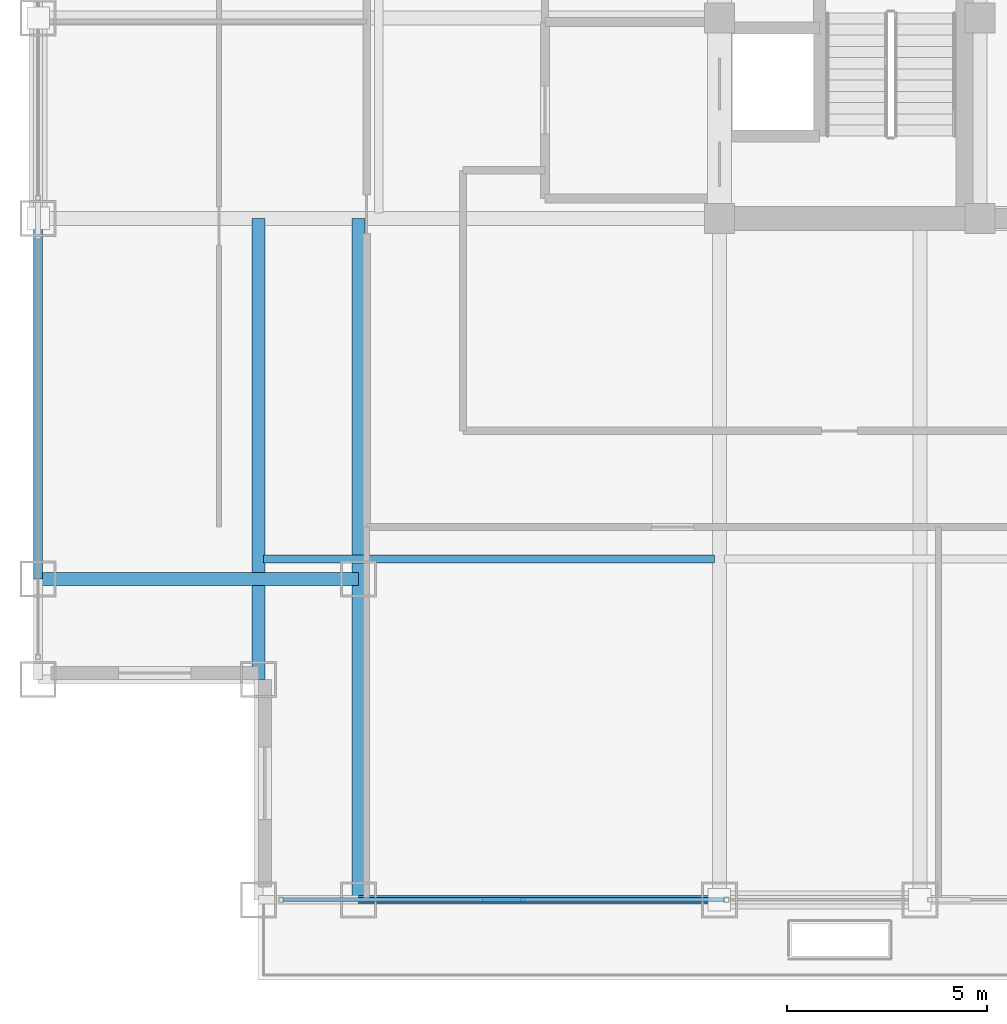
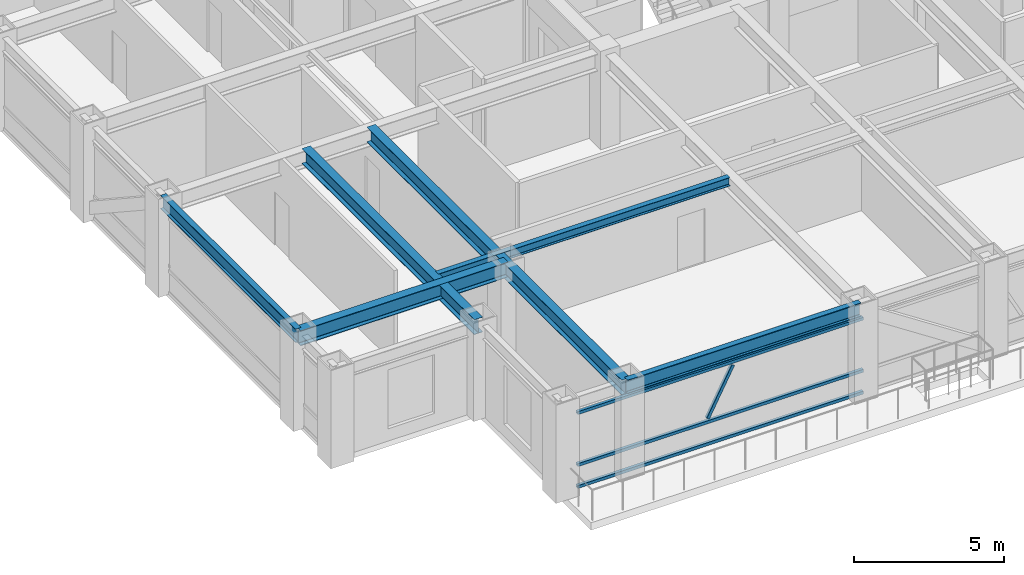
# One storey, part 3 of 32: 6 beams, 4 members, 1 element without a shape of its own.
"""IFC4 building model written with IfcOpenShell, lengths in metres."""

import ifcopenshell
import ifcopenshell.guid

model = None  # the IFC model being written
_history = None  # IfcOwnerHistory: only IFC2X3 demands one
_inside = {}  # id of a spatial element -> (the spatial element, [elements in it])
_under = {}  # id of a project, library or spatial element -> (it, [spatial elements below it])
_declared = {}  # id of a project -> (the project, [libraries it declares])
_typed = {}  # id of a type object -> (the type object, [elements of that type])
_made_of = {}  # id of a material, layer set ... -> (it, [elements and type objects made of it])


def new_model(schema):
    """Start an empty IFC model of exactly this schema.

    Asked for "IFC4X3", IfcOpenShell would pick the latest addendum, in which some entities
    have other attributes; the version numbers below select the first issue.
    IFC2X3 requires an IfcOwnerHistory on every rooted entity: one is made here for all.
    """
    global model, _history
    if schema == "IFC4X3":
        model = ifcopenshell.file(schema_version=(4, 3, 0, 0))
    else:
        model = ifcopenshell.file(schema=schema)
    _inside.clear()
    _under.clear()
    _declared.clear()
    _typed.clear()
    _made_of.clear()
    _history = None
    if model.schema == "IFC2X3":
        org = make("IfcOrganization", Name="unknown")
        user = make(
            "IfcPersonAndOrganization",
            ThePerson=make("IfcPerson", FamilyName="unknown"),
            TheOrganization=org,
        )
        app = make(
            "IfcApplication",
            ApplicationDeveloper=org,
            Version="unknown",
            ApplicationFullName="unknown",
            ApplicationIdentifier="unknown",
        )
        _history = make(
            "IfcOwnerHistory",
            OwningUser=user,
            OwningApplication=app,
            ChangeAction="ADDED",
            CreationDate=0,
        )
    return model


def make(cls, **values):
    """One entity of the class cls with the attributes given. An attribute that is None is left unset."""
    return model.create_entity(
        cls, **{name: value for name, value in values.items() if value is not None}
    )


def rooted(cls, **values):
    """An entity with a GlobalId (a new one), such as an element, a storey or a relation."""
    return make(cls, GlobalId=ifcopenshell.guid.new(), OwnerHistory=_history, **values)


def si_unit(unit_type, name, prefix=None):
    """IfcSIUnit, for example si_unit("LENGTHUNIT", "METRE", prefix="MILLI")."""
    return make("IfcSIUnit", UnitType=unit_type, Prefix=prefix, Name=name)


def assignment(units):
    """IfcUnitAssignment: the units of a project."""
    return None if units is None else make("IfcUnitAssignment", Units=units)


def point(xyz):
    """IfcCartesianPoint."""
    return None if xyz is None else make("IfcCartesianPoint", Coordinates=xyz)


def direction(xyz):
    """IfcDirection."""
    return None if xyz is None else make("IfcDirection", DirectionRatios=xyz)


def frame(location, z_axis=None, x_axis=None):
    """IfcAxis2Placement3D, a coordinate frame: its origin and axes. An axis left out is left unset."""
    return make(
        "IfcAxis2Placement3D",
        Location=point(location),
        Axis=direction(z_axis),
        RefDirection=direction(x_axis),
    )


def frame_2d(location, x_axis=None):
    """IfcAxis2Placement2D, a coordinate frame in the plane: its origin and x axis."""
    return make(
        "IfcAxis2Placement2D", Location=point(location), RefDirection=direction(x_axis)
    )


def origin():
    """The frame at (0, 0, 0) with its axes left unset."""
    return frame((0.0, 0.0, 0.0))


def origin_2d():
    """The frame at (0, 0) in the plane with its x axis left unset."""
    return frame_2d((0.0, 0.0))


def place(relative_to, where):
    """IfcLocalPlacement: puts the frame where relative to a parent placement (None: the world)."""
    return make(
        "IfcLocalPlacement", PlacementRelTo=relative_to, RelativePlacement=where
    )


def context(
    kind, dimensions, precision=None, world=None, true_north=None, identifier=None
):
    """IfcGeometricRepresentationContext, for example the 3D "Model" context."""
    return make(
        "IfcGeometricRepresentationContext",
        ContextIdentifier=identifier,
        ContextType=kind,
        CoordinateSpaceDimension=dimensions,
        Precision=precision,
        WorldCoordinateSystem=world,
        TrueNorth=true_north,
    )


def subcontext(parent, identifier, kind, view, scale=None):
    """IfcGeometricRepresentationSubContext, for example "Body" below "Model"."""
    return make(
        "IfcGeometricRepresentationSubContext",
        ContextIdentifier=identifier,
        ContextType=kind,
        ParentContext=parent,
        TargetScale=scale,
        TargetView=view,
    )


def project(units=None, contexts=None):
    """IfcProject with its units and contexts."""
    return rooted(
        "IfcProject",
        Name="project",
        RepresentationContexts=contexts,
        UnitsInContext=assignment(units),
    )


def spatial(cls, under=None, at=None, **own):
    """A site, building, storey or space (cls), placed at a placement, below another one or the project."""
    s = rooted(cls, ObjectPlacement=at, **own)
    if under is not None:
        _under.setdefault(under.id(), (under, []))[1].append(s)
    return s


def profile(cls, at=None, kind="AREA", **sizes):
    """A parametric profile (cls). Its sizes go by their IFC names, for example OverallWidth=200.0."""
    return make(cls, ProfileType=kind, Position=at, **sizes)


def hollow_rectangle(**sizes):
    """IfcRectangleHollowProfileDef."""
    return profile("IfcRectangleHollowProfileDef", **sizes)


def i_section(**sizes):
    """IfcIShapeProfileDef."""
    return profile("IfcIShapeProfileDef", **sizes)


def extrude(swept, where, along, depth):
    """IfcExtrudedAreaSolid: the profile swept, set in the frame where, extruded along a direction by depth."""
    return make(
        "IfcExtrudedAreaSolid",
        SweptArea=swept,
        Position=where,
        ExtrudedDirection=direction(along),
        Depth=depth,
    )


def shape(context_of_items, identifier, shape_type, items):
    """IfcShapeRepresentation: the items that make up one representation, for example the "Body"."""
    return make(
        "IfcShapeRepresentation",
        ContextOfItems=context_of_items,
        RepresentationIdentifier=identifier,
        RepresentationType=shape_type,
        Items=items,
    )


def source(mapping_origin, context_of_items, identifier, shape_type, items):
    """IfcRepresentationMap: a shape defined once, which mapped items show again and again."""
    return make(
        "IfcRepresentationMap",
        MappingOrigin=mapping_origin,
        MappedRepresentation=shape(context_of_items, identifier, shape_type, items),
    )


def transform(
    local_origin,
    x_axis=None,
    y_axis=None,
    z_axis=None,
    scale=None,
    scale2=None,
    scale3=None,
    uniform=True,
):
    """IfcCartesianTransformationOperator3D, or its non-uniform kind. x_axis, y_axis, z_axis: its Axis1, 2, 3."""
    if uniform:
        return make(
            "IfcCartesianTransformationOperator3D",
            Axis1=direction(x_axis),
            Axis2=direction(y_axis),
            LocalOrigin=point(local_origin),
            Scale=scale,
            Axis3=direction(z_axis),
        )
    return make(
        "IfcCartesianTransformationOperator3DnonUniform",
        Axis1=direction(x_axis),
        Axis2=direction(y_axis),
        LocalOrigin=point(local_origin),
        Scale=scale,
        Axis3=direction(z_axis),
        Scale2=scale2,
        Scale3=scale3,
    )


def mapped(mapping_source, mapping_target):
    """IfcMappedItem: shows the shape of a source again, moved by a transform."""
    return make(
        "IfcMappedItem", MappingSource=mapping_source, MappingTarget=mapping_target
    )


def material(Name=None, Category=None):
    """IfcMaterial."""
    return make("IfcMaterial", Name=Name, Category=Category)


def material_profile(
    of_material, cross_section, Name=None, Category=None, Priority=None
):
    """IfcMaterialProfile: a cross section and its material."""
    return make(
        "IfcMaterialProfile",
        Name=Name,
        Material=of_material,
        Profile=cross_section,
        Priority=Priority,
        Category=Category,
    )


def profile_set(profiles, Name=None, composite=None):
    """IfcMaterialProfileSet."""
    return make(
        "IfcMaterialProfileSet",
        Name=Name,
        MaterialProfiles=profiles,
        CompositeProfile=composite,
    )


def made_of(thing, what):
    """Note that an element or type object is made of a material, layer set ...; save() writes the relation."""
    if what is not None:
        _made_of.setdefault(what.id(), (what, []))[1].append(thing)
    return thing


def type_object(cls, material=None, **own):
    """A type object (cls), such as IfcWallType, which elements share."""
    return made_of(rooted(cls, **own), material)


def element(
    cls,
    number,
    at=None,
    inside=None,
    cuts=None,
    type_object=None,
    material=None,
    context=None,
    identifier="Body",
    shape_type=None,
    held_by="IfcProductDefinitionShape",
    body=None,
    shapes=None,
    **own,
):
    """One element of the class cls, such as IfcWall. Its Tag is "e" and its number.

    at: its placement. inside: the storey or other place that contains it. cuts: it is an
    opening in that element (IfcRelVoidsElement). A single representation is given by context,
    identifier, shape_type and body (its items); several are given by shapes. held_by: the class
    of the entity that holds the representations. save() writes the other relations.
    """
    e = rooted(cls, Tag="e%d" % number, ObjectPlacement=at, **own)
    if body is not None:
        shapes = [shape(context, identifier, shape_type, body)]
    if shapes is not None:
        e.Representation = make(held_by, Representations=shapes)
    if inside is not None:
        _inside.setdefault(inside.id(), (inside, []))[1].append(e)
    if cuts is not None:
        rooted(
            "IfcRelVoidsElement", RelatingBuildingElement=cuts, RelatedOpeningElement=e
        )
    if type_object is not None:
        _typed.setdefault(type_object.id(), (type_object, []))[1].append(e)
    return made_of(e, material)


def aggregate(whole, parts):
    """IfcRelAggregates: a whole, such as a stair, and the parts it consists of."""
    return rooted("IfcRelAggregates", RelatingObject=whole, RelatedObjects=parts)


def save(model, path):
    """Write the relations noted so far, then the file.

    IfcRelAggregates (storeys below a building ...), IfcRelContainedInSpatialStructure (elements
    in a storey), IfcRelDefinesByType, IfcRelAssociatesMaterial and IfcRelDeclares: one each for
    every whole, place, type object, material and project.
    """
    for whole, parts in _under.values():
        aggregate(whole, parts)
    for where, things in _inside.values():
        rooted(
            "IfcRelContainedInSpatialStructure",
            RelatedElements=things,
            RelatingStructure=where,
        )
    for kind, things in _typed.values():
        rooted("IfcRelDefinesByType", RelatedObjects=things, RelatingType=kind)
    for what, things in _made_of.values():
        rooted("IfcRelAssociatesMaterial", RelatedObjects=things, RelatingMaterial=what)
    for by, libraries in _declared.values():
        rooted("IfcRelDeclares", RelatingContext=by, RelatedDefinitions=libraries)
    model.write(path)


model = new_model("IFC4")

# Units and contexts
model_context = context("Model", 3, precision=1e-05, world=origin(), true_north=direction((0.0, 1.0)))
body_context = subcontext(model_context, "Body", "Model", "MODEL_VIEW")
ifc_project = project(units=[si_unit("LENGTHUNIT", "METRE"), si_unit("AREAUNIT", "SQUARE_METRE"), si_unit("VOLUMEUNIT", "CUBIC_METRE"), si_unit("PLANEANGLEUNIT", "RADIAN"), si_unit("MASSUNIT", "GRAM", prefix="KILO")], contexts=[model_context])

# Site, building, storey
site_placement = place(None, origin())
site = spatial("IfcSite", under=ifc_project, at=site_placement, CompositionType="ELEMENT")
building_placement = place(site_placement, origin())
building = spatial("IfcBuilding", under=site, at=building_placement, Name="Khorayat Bourse Tower", CompositionType="ELEMENT")
storey_placement = place(building_placement, frame((0.0, 0.0, 273.5)))
storey = spatial("IfcBuildingStorey", under=building, at=storey_placement, Name="L64", CompositionType="ELEMENT", Elevation=273.5)

# Beams
ifc_material_1 = material(Name="Steel ASTM A992 Grade 50", Category="steel")
ifc_material_profile_1 = material_profile(ifc_material_1, i_section(OverallWidth=0.324951171875, OverallDepth=0.615966796875, WebThickness=0.013916015625, FlangeThickness=0.021484375, FilletRadius=0.01611328125, at=origin_2d()), Name="W610X174")
ifc_profile_set_1 = profile_set([ifc_material_profile_1], Name="Steel ASTM A992 Grade 50")
beam_type_1 = type_object("IfcBeamType", Name="BM-GIRD-610", PredefinedType="BEAM", material=ifc_profile_set_1)
shared_shape_1 = source(origin(), body_context, "Body", "SweptSolid", [
    extrude(i_section(OverallWidth=0.324951171875, OverallDepth=0.615966796875, WebThickness=0.013916015625, FlangeThickness=0.021484375, FilletRadius=0.01611328125, at=origin_2d()), origin(), (0.0, 0.0, 1.0), 17.0),
])
beam_1_placement = place(storey_placement, frame((-20.0, -28.0, 3.471923828125), z_axis=(0.0, 1.0, 0.0), x_axis=(-1.0, 0.0, 0.0)))
element("IfcBeam", 1, at=beam_1_placement, inside=storey, type_object=beam_type_1, Name="L64 BM-GIRD-610 BM-L64-CNRY-084", PredefinedType="BEAM", context=body_context, shape_type="MappedRepresentation", body=[
    mapped(shared_shape_1, transform((0.0, 0.0, 0.0), scale=1.0)),
])
shared_shape_2 = source(origin(), body_context, "Body", "SweptSolid", [
    extrude(i_section(OverallWidth=0.324951171875, OverallDepth=0.615966796875, WebThickness=0.013916015625, FlangeThickness=0.021484375, FilletRadius=0.01611328125, at=origin_2d()), origin(), (0.0, 0.0, 1.0), 11.5),
])
beam_2_placement = place(storey_placement, frame((-22.5, -22.5, 3.471923828125), z_axis=(0.0, 1.0, 0.0), x_axis=(-1.0, 0.0, 0.0)))
element("IfcBeam", 2, at=beam_2_placement, inside=storey, type_object=beam_type_1, Name="L64 BM-GIRD-610 BM-L64-CNRY-088", PredefinedType="BEAM", context=body_context, shape_type="MappedRepresentation", body=[
    mapped(shared_shape_2, transform((0.0, 0.0, 0.0), scale=1.0)),
])
shared_shape_3 = source(origin(), body_context, "Body", "SweptSolid", [
    extrude(i_section(OverallWidth=0.324951171875, OverallDepth=0.615966796875, WebThickness=0.013916015625, FlangeThickness=0.021484375, FilletRadius=0.01611328125, at=origin_2d()), origin(), (0.0, 0.0, 1.0), 8.0),
])
beam_3_placement = place(storey_placement, frame((-28.0, -20.0, 3.471923828125), z_axis=(1.0, 0.0, 0.0), x_axis=(0.0, 1.0, 0.0)))
element("IfcBeam", 3, at=beam_3_placement, inside=storey, type_object=beam_type_1, Name="L64 BM-GIRD-610 BM-L64-CNRX-093", PredefinedType="BEAM", context=body_context, shape_type="MappedRepresentation", body=[
    mapped(shared_shape_3, transform((0.0, 0.0, 0.0), scale=1.0)),
])
ifc_material_profile_2 = material_profile(ifc_material_1, i_section(OverallWidth=0.202880859375, OverallDepth=0.346923828125, WebThickness=0.0078125, FlangeThickness=0.013427734375, FilletRadius=0.010009765625, at=origin_2d()), Name="W360X64")
ifc_profile_set_2 = profile_set([ifc_material_profile_2], Name="Steel ASTM A992 Grade 50")
beam_type_2 = type_object("IfcBeamType", Name="BM-JOIST-360", PredefinedType="JOIST", material=ifc_profile_set_2)
shared_shape_4 = source(origin(), body_context, "Body", "SweptSolid", [
    extrude(i_section(OverallWidth=0.202880859375, OverallDepth=0.346923828125, WebThickness=0.0078125, FlangeThickness=0.013427734375, FilletRadius=0.010009765625, at=origin_2d()), origin(), (0.0, 0.0, 1.0), 11.240234375),
])
beam_4_placement = place(storey_placement, frame((-22.3701171875, -19.5, 3.6064453125), z_axis=(1.0, 0.0, 0.0), x_axis=(0.0, 1.0, 0.0)))
element("IfcBeam", 4, at=beam_4_placement, inside=storey, type_object=beam_type_2, Name="L64 BM-JOIST-360 BM-L64-JSTX-096", PredefinedType="JOIST", context=body_context, shape_type="MappedRepresentation", body=[
    mapped(shared_shape_4, transform((0.0, 0.0, 0.0), scale=1.0)),
])
ifc_material_profile_3 = material_profile(ifc_material_1, i_section(OverallWidth=0.214111328125, OverallDepth=0.549072265625, WebThickness=0.0146484375, FlangeThickness=0.023681640625, FilletRadius=0.013916015625, at=origin_2d()), Name="W530X138")
ifc_profile_set_3 = profile_set([ifc_material_profile_3], Name="Steel ASTM A992 Grade 50")
beam_type_3 = type_object("IfcBeamType", Name="BM-SPAN-530", PredefinedType="SPANDREL", material=ifc_profile_set_3)
shared_shape_5 = source(origin(), body_context, "Body", "SweptSolid", [
    extrude(i_section(OverallWidth=0.214111328125, OverallDepth=0.549072265625, WebThickness=0.0146484375, FlangeThickness=0.023681640625, FilletRadius=0.013916015625, at=origin_2d()), origin(), (0.0, 0.0, 1.0), 9.0),
])
for number, where, z_axis, x_axis, name in (
    (5, (-20.0, -28.0, 3.505615234375), (1.0, 0.0, 0.0), (0.0, 1.0, 0.0), "L64 BM-SPAN-530 BM-L64-SPN-025"),
    (6, (-28.0, -20.0, 3.505615234375), (0.0, 1.0, 0.0), (-1.0, 0.0, 0.0), "L64 BM-SPAN-530 BM-L64-SPN-060"),
):
    element("IfcBeam", number, at=place(storey_placement, frame(where, z_axis=z_axis, x_axis=x_axis)), inside=storey, type_object=beam_type_3, Name=name, PredefinedType="SPANDREL", context=body_context, shape_type="MappedRepresentation", body=[
        mapped(shared_shape_5, transform((0.0, 0.0, 0.0), scale=1.0)),
    ])

# Curtain wall, members
ifc_material_2 = material(Name="Aluminium EN AW-6063 T6", Category="aluminium")
curtain_wall_type = type_object("IfcCurtainWallType", Name="CW-SYS-04", PredefinedType="NOTDEFINED", material=ifc_material_2)
curtain_wall_placement = place(storey_placement, origin())
curtain_wall = element("IfcCurtainWall", 7, at=curtain_wall_placement, inside=storey, type_object=curtain_wall_type, Name="L64 Curtain Wall CW-L64-S1", PredefinedType="NOTDEFINED")
ifc_material_profile_4 = material_profile(ifc_material_2, hollow_rectangle(XDim=0.1201171875, YDim=0.1201171875, WallThickness=0.0048828125, at=origin_2d()), Name="ALU 120x120x5")
ifc_profile_set_4 = profile_set([ifc_material_profile_4], Name="Aluminium EN AW-6063 T6")
member_type_1 = type_object("IfcMemberType", Name="CWT-HORZ-120", PredefinedType="USERDEFINED", material=ifc_profile_set_4)
shared_shape_6 = source(origin(), body_context, "Body", "SweptSolid", [
    extrude(hollow_rectangle(XDim=0.1201171875, YDim=0.1201171875, WallThickness=0.0048828125, at=origin_2d()), origin(), (0.0, 0.0, 1.0), 10.994873046875),
])
member_1_placement = place(storey_placement, frame((-21.8798828125, -28.0, 0.06005859375), z_axis=(1.0, 0.0, 0.0), x_axis=(0.0, 1.0, 0.0)))
member_1 = element("IfcMember", 8, at=member_1_placement, type_object=member_type_1, Name="CW-L64-S1 Horizontal Transom 1-1", ObjectType="TRANSOM", PredefinedType="USERDEFINED", context=body_context, shape_type="MappedRepresentation", body=[
    mapped(shared_shape_6, transform((0.0, 0.0, 0.0), scale=1.0)),
])
member_2_placement = place(storey_placement, frame((-21.8798828125, -28.0, 0.949951171875), z_axis=(1.0, 0.0, 0.0), x_axis=(0.0, 1.0, 0.0)))
member_2 = element("IfcMember", 9, at=member_2_placement, type_object=member_type_1, Name="CW-L64-S1 Horizontal Transom 1-2", ObjectType="TRANSOM", PredefinedType="USERDEFINED", context=body_context, shape_type="MappedRepresentation", body=[
    mapped(shared_shape_6, transform((0.0, 0.0, 0.0), scale=1.0)),
])
member_3_placement = place(storey_placement, frame((-21.8798828125, -28.0, 3.070068359375), z_axis=(1.0, 0.0, 0.0), x_axis=(0.0, 1.0, 0.0)))
member_3 = element("IfcMember", 10, at=member_3_placement, type_object=member_type_1, Name="CW-L64-S1 Horizontal Transom 1-3", ObjectType="TRANSOM", PredefinedType="USERDEFINED", context=body_context, shape_type="MappedRepresentation", body=[
    mapped(shared_shape_6, transform((0.0, 0.0, 0.0), scale=1.0)),
])
ifc_material_profile_5 = material_profile(ifc_material_2, hollow_rectangle(XDim=0.1201171875, YDim=0.1201171875, WallThickness=0.0048828125, at=origin_2d()), Name="ALU 120x120x5")
ifc_profile_set_5 = profile_set([ifc_material_profile_5], Name="Aluminium EN AW-6063 T6")
member_type_2 = type_object("IfcMemberType", Name="CWM-DIAG-120", PredefinedType="MULLION", material=ifc_profile_set_5)
shared_shape_7 = source(origin(), body_context, "Body", "SweptSolid", [
    extrude(hollow_rectangle(XDim=0.1201171875, YDim=0.1201171875, WallThickness=0.0048828125, at=origin_2d()), origin(), (0.0, 0.0, 1.0), 2.0791015625),
])
member_4_placement = place(storey_placement, frame((-16.86669921875, -28.0, 1.090087890625), z_axis=(0.465809344892, 0.0, 0.884885107916), x_axis=(0.0, 1.0, 0.0)))
member_4 = element("IfcMember", 11, at=member_4_placement, type_object=member_type_2, Name="CW-L64-S1 Faceted Diagonal Mullion 1", PredefinedType="MULLION", context=body_context, shape_type="MappedRepresentation", body=[
    mapped(shared_shape_7, transform((0.0, 0.0, 0.0), scale=1.0)),
])
aggregate(curtain_wall, [member_1, member_2, member_3, member_4])

save(model, "model.ifc")
